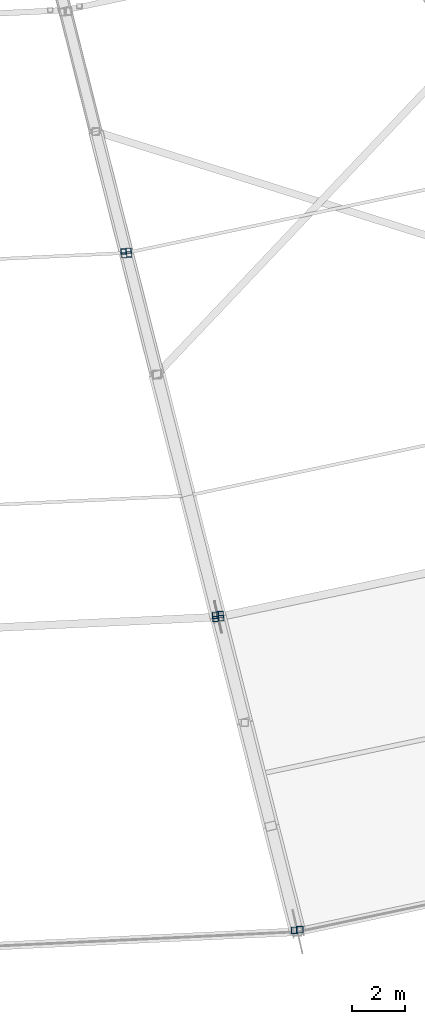
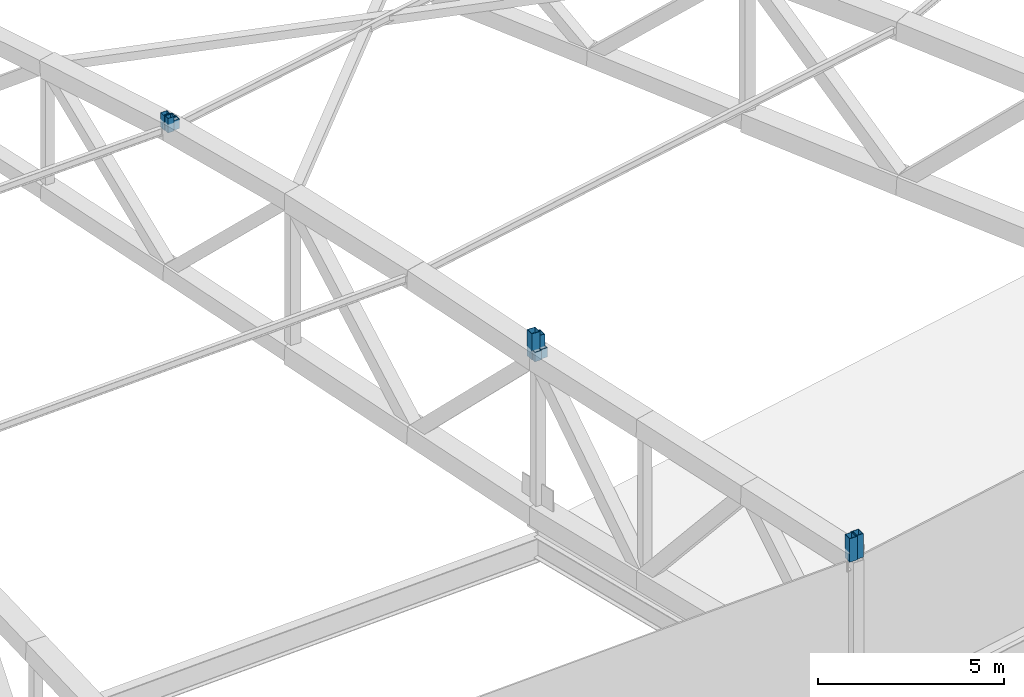
# One storey, part 100 of 162: 10 members.
"""IFC4 building model written with IfcOpenShell, lengths in metres."""

from ifc_helpers import new_model, si_unit, direction, frame, origin, origin_2d, place, context, subcontext, project, spatial, hollow_rectangle, extrude, material, material_profile, profile_set, type_object, element, save


model = new_model("IFC4")

# Units and contexts
model_context = context("Model", 3, precision=1e-05, world=origin(), true_north=direction((0.0, 1.0)))
body_context = subcontext(model_context, "Body", "Model", "MODEL_VIEW")
ifc_project = project(units=[si_unit("LENGTHUNIT", "METRE"), si_unit("AREAUNIT", "SQUARE_METRE"), si_unit("VOLUMEUNIT", "CUBIC_METRE"), si_unit("PLANEANGLEUNIT", "RADIAN"), si_unit("MASSUNIT", "GRAM", prefix="KILO")], contexts=[model_context])

# Site, building, storey
site_placement = place(None, origin())
site = spatial("IfcSite", under=ifc_project, at=site_placement, CompositionType="ELEMENT")
building_placement = place(site_placement, origin())
building = spatial("IfcBuilding", under=site, at=building_placement, Name="Kazemori Nagisa Stadium", CompositionType="ELEMENT")
storey_placement = place(building_placement, frame((0.0, 0.0, 36.719970703125)))
storey = spatial("IfcBuildingStorey", under=building, at=storey_placement, Name="RF", CompositionType="ELEMENT", Elevation=36.719970703125)

# Members
ifc_material = material(Name="Steel STKR490", Category="steel")
ifc_material_profile_1 = material_profile(ifc_material, hollow_rectangle(XDim=0.25, YDim=0.25, WallThickness=0.011962890625, at=origin_2d()), Name="SHS-250x250x12")
ifc_profile_set_1 = profile_set([ifc_material_profile_1], Name="Steel STKR490")
member_type_1 = type_object("IfcMemberType", Name="Member_ST-SHS250", PredefinedType="STUD", material=ifc_profile_set_1)
member_1_placement = place(storey_placement, frame((144.3193359375, 17.06494140625, 5.10009765625), z_axis=(0.0, 0.0, 1.0), x_axis=(1.0, 0.0, 0.0)))
element("IfcMember", 1, at=member_1_placement, inside=storey, type_object=member_type_1, Name="Canopy bearing stool B22-outer-2", PredefinedType="STUD", context=body_context, shape_type="SweptSolid", body=[
    extrude(hollow_rectangle(XDim=0.25, YDim=0.25, WallThickness=0.011962890625, at=origin_2d()), origin(), (0.0, 0.0, 1.0), 0.77490234375),
])
member_2_placement = place(storey_placement, frame((141.326904296875, 28.976318359375, 5.56005859375), z_axis=(0.0, 0.0, 1.0), x_axis=(1.0, 0.0, 0.0)))
element("IfcMember", 2, at=member_2_placement, inside=storey, type_object=member_type_1, Name="Canopy bearing stool B22-mid-2", PredefinedType="STUD", context=body_context, shape_type="SweptSolid", body=[
    extrude(hollow_rectangle(XDim=0.25, YDim=0.25, WallThickness=0.011962890625, at=origin_2d()), origin(), (0.0, 0.0, 1.0), 0.85986328125),
])
member_3_placement = place(storey_placement, frame((144.514404296875, 17.095947265625, 5.10009765625), z_axis=(0.0, 0.0, 1.0), x_axis=(1.0, 0.0, 0.0)))
element("IfcMember", 3, at=member_3_placement, inside=storey, type_object=member_type_1, Name="Canopy bearing stool B23-outer-1", PredefinedType="STUD", context=body_context, shape_type="SweptSolid", body=[
    extrude(hollow_rectangle(XDim=0.25, YDim=0.25, WallThickness=0.011962890625, at=origin_2d()), origin(), (0.0, 0.0, 1.0), 0.77490234375),
])
member_4_placement = place(storey_placement, frame((141.50048828125, 29.0068359375, 5.56005859375), z_axis=(0.0, 0.0, 1.0), x_axis=(1.0, 0.0, 0.0)))
element("IfcMember", 4, at=member_4_placement, inside=storey, type_object=member_type_1, Name="Canopy bearing stool B23-mid-1", PredefinedType="STUD", context=body_context, shape_type="SweptSolid", body=[
    extrude(hollow_rectangle(XDim=0.25, YDim=0.25, WallThickness=0.011962890625, at=origin_2d()), origin(), (0.0, 0.0, 1.0), 0.698974609375),
])
ifc_material_profile_2 = material_profile(ifc_material, hollow_rectangle(XDim=0.199951171875, YDim=0.199951171875, WallThickness=0.009033203125, at=origin_2d()), Name="SHS-200x200x9")
ifc_profile_set_2 = profile_set([ifc_material_profile_2], Name="Steel STKR490")
member_type_2 = type_object("IfcMemberType", Name="Member_TS-SHS200", PredefinedType="STRUT", material=ifc_profile_set_2)
member_5_placement = place(storey_placement, frame((141.332275390625, 28.8388671875, 5.56005859375), z_axis=(0.0, 0.0, 1.0), x_axis=(1.0, 0.0, 0.0)))
element("IfcMember", 5, at=member_5_placement, inside=storey, type_object=member_type_2, Name="Canopy bearing stool B22-outer-3", PredefinedType="STRUT", context=body_context, shape_type="SweptSolid", body=[
    extrude(hollow_rectangle(XDim=0.199951171875, YDim=0.199951171875, WallThickness=0.009033203125, at=origin_2d()), origin(), (0.0, 0.0, 1.0), 0.31494140625),
])
for number, where, z_axis, x_axis, name in (
    (6, (137.875732421875, 42.59033203125, 5.944091796875), (0.0, 0.0, 1.0), (1.0, 0.0, 0.0), "Canopy bearing stool B22-mid-3"),
    (7, (137.850341796875, 42.7353515625, 5.944091796875), (0.0, 0.0, 1.0), (1.0, 0.0, 0.0), "Canopy bearing stool B22-inner-2"),
):
    element("IfcMember", number, at=place(storey_placement, frame(where, z_axis=z_axis, x_axis=x_axis)), inside=storey, type_object=member_type_2, Name=name, PredefinedType="STRUT", context=body_context, shape_type="SweptSolid", body=[
        extrude(hollow_rectangle(XDim=0.199951171875, YDim=0.199951171875, WallThickness=0.009033203125, at=origin_2d()), origin(), (0.0, 0.0, 1.0), 0.475830078125),
    ])
for number, where, z_axis, x_axis, name in (
    (8, (141.54150390625, 28.873046875, 5.56005859375), (0.0, 0.0, 1.0), (1.0, 0.0, 0.0), "Canopy bearing stool B23-outer-4"),
    (9, (138.0634765625, 42.624755859375, 5.944091796875), (0.0, 0.0, 1.0), (1.0, 0.0, 0.0), "Canopy bearing stool B23-mid-4"),
    (10, (138.0390625, 42.766357421875, 5.944091796875), (0.0, 0.0, 1.0), (1.0, 0.0, 0.0), "Canopy bearing stool B23-inner-1"),
):
    element("IfcMember", number, at=place(storey_placement, frame(where, z_axis=z_axis, x_axis=x_axis)), inside=storey, type_object=member_type_2, Name=name, PredefinedType="STRUT", context=body_context, shape_type="SweptSolid", body=[
        extrude(hollow_rectangle(XDim=0.199951171875, YDim=0.199951171875, WallThickness=0.009033203125, at=origin_2d()), origin(), (0.0, 0.0, 1.0), 0.31494140625),
    ])

save(model, "model.ifc")
